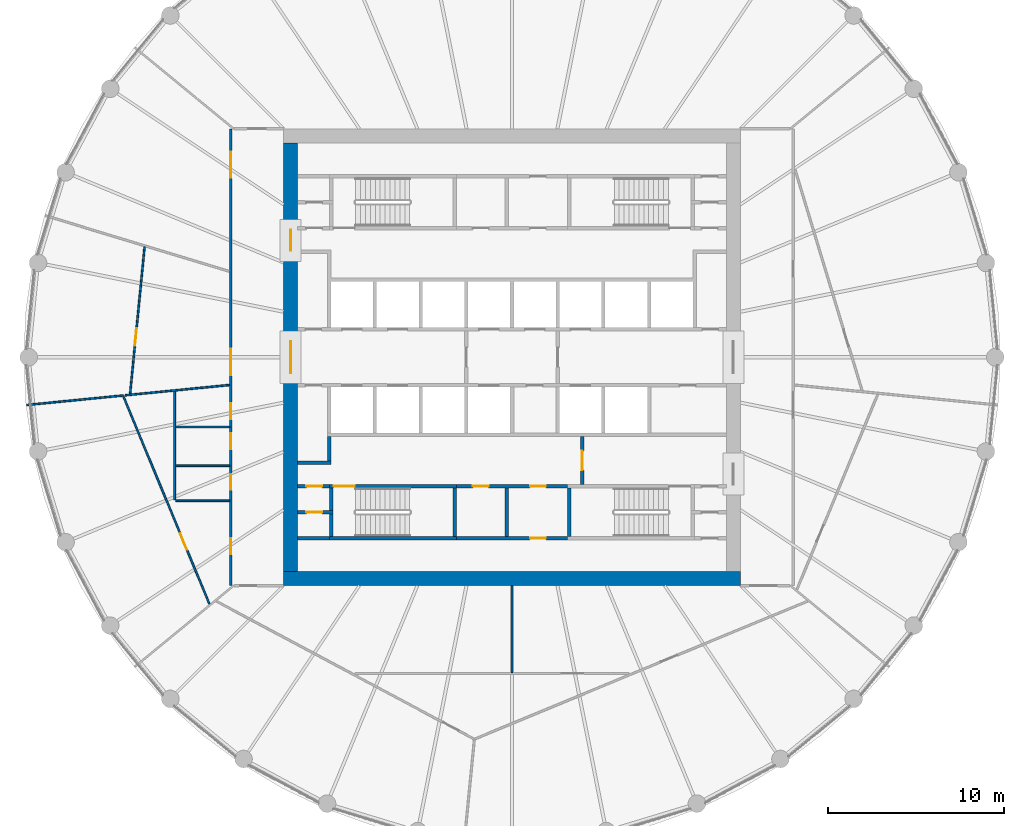
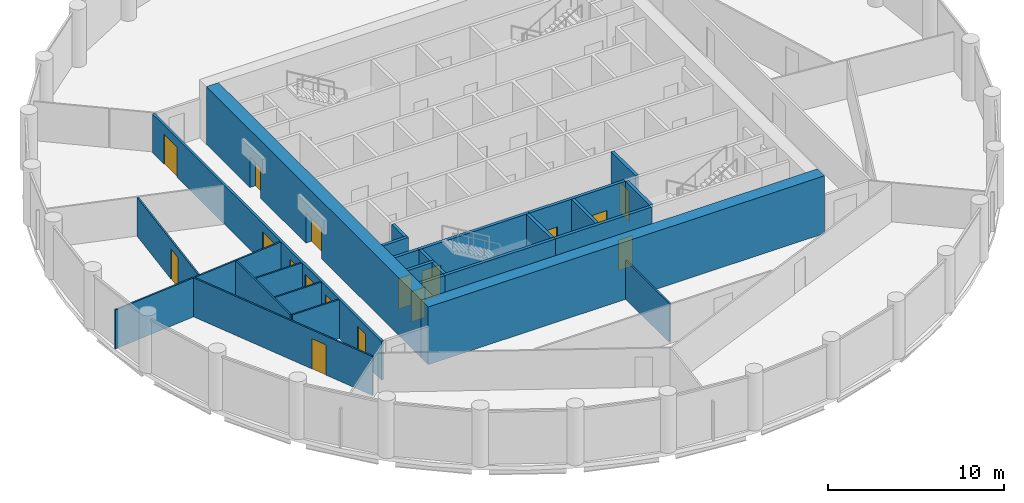
# One storey, part 4 of 8: 27 walls, 17 doors, 17 openings.
"""IFC4 building model written with IfcOpenShell, lengths in metres."""

from ifc_helpers import new_model, si_unit, direction, frame, frame_2d, origin, place, context, subcontext, project, spatial, polyline, rectangle, outline, extrude, material, layer, layer_set, type_object, element, fill, save


model = new_model("IFC4")

# Units and contexts
model_context = context("Model", 3, precision=1e-05, world=origin(), true_north=direction((0.0, 1.0)))
body_context = subcontext(model_context, "Body", "Model", "MODEL_VIEW")
ifc_project = project(units=[si_unit("LENGTHUNIT", "METRE"), si_unit("AREAUNIT", "SQUARE_METRE"), si_unit("VOLUMEUNIT", "CUBIC_METRE"), si_unit("PLANEANGLEUNIT", "RADIAN"), si_unit("MASSUNIT", "GRAM", prefix="KILO")], contexts=[model_context])

# Site, building, storey
site_placement = place(None, origin())
site = spatial("IfcSite", under=ifc_project, at=site_placement, CompositionType="ELEMENT")
building_placement = place(site_placement, origin())
building = spatial("IfcBuilding", under=site, at=building_placement, Name="Corvane Civic Tower", CompositionType="ELEMENT")
storey_placement = place(building_placement, frame((0.0, 0.0, 229.5)))
storey = spatial("IfcBuildingStorey", under=building, at=storey_placement, Name="L54", CompositionType="ELEMENT", Elevation=229.5)

# Wall
ifc_material_1 = material(Name="Concrete C50/60", Category="concrete")
ifc_layer_1 = layer(ifc_material_1, 0.800048828125)
ifc_layer_set_1 = layer_set([ifc_layer_1], Name="Concrete C50/60")
wall_type_1 = type_object("IfcWallType", Name="CORE WALL 800 C50/60", PredefinedType="SHEAR", material=ifc_layer_set_1)
wall_1_placement = place(storey_placement, frame((-13.0, -12.60009765625, 0.0), z_axis=(0.0, 0.0, 1.0), x_axis=(1.0, 0.0, 0.0)))
element("IfcWall", 1, at=wall_1_placement, inside=storey, type_object=wall_type_1, Name="W-L54-core-S", PredefinedType="SHEAR", context=body_context, shape_type="SweptSolid", body=[
    extrude(rectangle(XDim=26.0, YDim=0.800048828125, at=frame_2d((13.0, 0.0))), origin(), (0.0, 0.0, 1.0), 4.0),
])

# Wall, openings, doors
wall_2_placement = place(storey_placement, frame((-12.60009765625, -12.199951171875, 0.0), z_axis=(0.0, 0.0, 1.0), x_axis=(0.0, 1.0, 0.0)))
wall_2 = element("IfcWall", 2, at=wall_2_placement, inside=storey, type_object=wall_type_1, Name="W-L54-core-W", PredefinedType="SHEAR", context=body_context, shape_type="SweptSolid", body=[
    extrude(rectangle(XDim=24.39990234375, YDim=0.800048828125, at=frame_2d((12.199951171875, 0.0))), origin(), (0.0, 0.0, 1.0), 4.0),
])
opening_1_placement = place(wall_2_placement, frame((11.300048828125, 0.0, 0.0)))
opening_1 = element("IfcOpeningElement", 3, at=opening_1_placement, cuts=wall_2, Name="Opening L54.C29", PredefinedType="OPENING", context=body_context, shape_type="SweptSolid", body=[
    extrude(rectangle(XDim=1.800048828125, YDim=2.10009765625, at=frame_2d((0.89990234375, 1.050048828125))), frame((0.0, 0.409912109375, 0.0), z_axis=(0.0, -1.0, 0.0), x_axis=(1.0, 0.0, 0.0)), (0.0, 0.0, 1.0), 0.820068359375),
])
opening_2_placement = place(wall_2_placement, frame((18.25, 0.0, 0.0)))
opening_2 = element("IfcOpeningElement", 4, at=opening_2_placement, cuts=wall_2, Name="Opening L54.C31", PredefinedType="OPENING", context=body_context, shape_type="SweptSolid", body=[
    extrude(rectangle(XDim=1.199951171875, YDim=2.10009765625, at=frame_2d((0.60009765625, 1.050048828125))), frame((0.0, 0.409912109375, 0.0), z_axis=(0.0, -1.0, 0.0), x_axis=(1.0, 0.0, 0.0)), (0.0, 0.0, 1.0), 0.820068359375),
])
ifc_material_2 = material(Name="Steel fire door leaf", Category="steel")
door_type_1 = type_object("IfcDoorType", Name="CR-DOOR-CORE-1800", OperationType="DOUBLE_DOOR_SINGLE_SWING", PredefinedType="DOOR", material=ifc_material_2)
door_1_placement = place(opening_1_placement, origin())
door_1 = element("IfcDoor", 5, at=door_1_placement, inside=storey, type_object=door_type_1, Name="L54 door", OperationType="DOUBLE_DOOR_SINGLE_SWING", OverallHeight=2.10009765625, OverallWidth=1.800048828125, PredefinedType="DOOR", context=body_context, shape_type="SweptSolid", body=[
    extrude(rectangle(XDim=1.800048828125, YDim=2.10009765625, at=frame_2d((0.89990234375, 1.050048828125))), frame((0.0, 0.02490234375, 0.0), z_axis=(0.0, -1.0, 0.0), x_axis=(1.0, 0.0, 0.0)), (0.0, 0.0, 1.0), 0.050048828125),
])
fill(opening_1, door_1)
door_2_placement = place(opening_2_placement, origin())
door_2 = element("IfcDoor", 6, at=door_2_placement, inside=storey, type_object=door_type_1, Name="L54 door", OperationType="DOUBLE_DOOR_SINGLE_SWING", OverallHeight=2.10009765625, OverallWidth=1.199951171875, PredefinedType="DOOR", context=body_context, shape_type="SweptSolid", body=[
    extrude(rectangle(XDim=1.199951171875, YDim=2.10009765625, at=frame_2d((0.60009765625, 1.050048828125))), frame((0.0, 0.02490234375, 0.0), z_axis=(0.0, -1.0, 0.0), x_axis=(1.0, 0.0, 0.0)), (0.0, 0.0, 1.0), 0.050048828125),
])
fill(opening_2, door_2)

# Wall, opening, door
ifc_material_3 = material(Name="Concrete C30/37", Category="concrete")
ifc_layer_2 = layer(ifc_material_3, 0.199951171875)
ifc_layer_set_2 = layer_set([ifc_layer_2], Name="Concrete C30/37")
wall_type_2 = type_object("IfcWallType", Name="CR-WALL-200", PredefinedType="PARTITIONING", material=ifc_layer_set_2)
wall_3_placement = place(storey_placement, frame((-3.14990234375, -10.300048828125, 0.0), z_axis=(0.0, 0.0, 1.0), x_axis=(1.0, 0.0, 0.0)))
wall_3 = element("IfcWall", 7, at=wall_3_placement, inside=storey, type_object=wall_type_2, Name="L54 partition wall", PredefinedType="PARTITIONING", context=body_context, shape_type="SweptSolid", body=[
    extrude(rectangle(XDim=6.2998046875, YDim=0.199951171875, at=frame_2d((3.14990234375, 0.0))), origin(), (0.0, 0.0, 1.0), 3.699951171875),
])
opening_3_placement = place(wall_3_placement, frame((4.175048828125, 0.0, 0.0)))
opening_3 = element("IfcOpeningElement", 8, at=opening_3_placement, cuts=wall_3, Name="Opening L54.C11", PredefinedType="OPENING", context=body_context, shape_type="SweptSolid", body=[
    extrude(rectangle(XDim=0.89990234375, YDim=2.10009765625, at=frame_2d((0.449951171875, 1.050048828125))), frame((0.0, 0.10986328125, 0.0), z_axis=(0.0, -1.0, 0.0), x_axis=(1.0, 0.0, 0.0)), (0.0, 0.0, 1.0), 0.219970703125),
])
ifc_material_4 = material(Name="Steel fire door leaf", Category="steel")
door_type_2 = type_object("IfcDoorType", Name="CR-DOOR-900", OperationType="SINGLE_SWING_LEFT", PredefinedType="DOOR", material=ifc_material_4)
door_3_placement = place(opening_3_placement, origin())
door_3 = element("IfcDoor", 9, at=door_3_placement, inside=storey, type_object=door_type_2, Name="L54 door", OperationType="SINGLE_SWING_LEFT", OverallHeight=2.10009765625, OverallWidth=0.89990234375, PredefinedType="DOOR", context=body_context, shape_type="SweptSolid", body=[
    extrude(rectangle(XDim=0.89990234375, YDim=2.10009765625, at=frame_2d((0.449951171875, 1.050048828125))), frame((0.0, 0.02490234375, 0.0), z_axis=(0.0, -1.0, 0.0), x_axis=(1.0, 0.0, 0.0)), (0.0, 0.0, 1.0), 0.050048828125),
])
fill(opening_3, door_3)

wall_4_placement = place(storey_placement, frame((-12.199951171875, -8.824951171875, 0.0), z_axis=(0.0, 0.0, 1.0), x_axis=(1.0, 0.0, 0.0)))
wall_4 = element("IfcWall", 10, at=wall_4_placement, inside=storey, type_object=wall_type_2, Name="L54 partition wall", PredefinedType="PARTITIONING", context=body_context, shape_type="SweptSolid", body=[
    extrude(rectangle(XDim=2.0, YDim=0.199951171875, at=frame_2d((1.0, 0.0))), origin(), (0.0, 0.0, 1.0), 3.699951171875),
])
opening_4_placement = place(wall_4_placement, frame((0.5, 0.0, 0.0)))
opening_4 = element("IfcOpeningElement", 11, at=opening_4_placement, cuts=wall_4, Name="Opening L54.C15", PredefinedType="OPENING", context=body_context, shape_type="SweptSolid", body=[
    extrude(rectangle(XDim=0.89990234375, YDim=2.10009765625, at=frame_2d((0.449951171875, 1.050048828125))), frame((0.0, 0.10986328125, 0.0), z_axis=(0.0, -1.0, 0.0), x_axis=(1.0, 0.0, 0.0)), (0.0, 0.0, 1.0), 0.219970703125),
])
door_4_placement = place(opening_4_placement, origin())
door_4 = element("IfcDoor", 12, at=door_4_placement, inside=storey, type_object=door_type_2, Name="L54 door", OperationType="SINGLE_SWING_LEFT", OverallHeight=2.10009765625, OverallWidth=0.89990234375, PredefinedType="DOOR", context=body_context, shape_type="SweptSolid", body=[
    extrude(rectangle(XDim=0.89990234375, YDim=2.10009765625, at=frame_2d((0.449951171875, 1.050048828125))), frame((0.0, 0.02490234375, 0.0), z_axis=(0.0, -1.0, 0.0), x_axis=(1.0, 0.0, 0.0)), (0.0, 0.0, 1.0), 0.050048828125),
])
fill(opening_4, door_4)

wall_5_placement = place(storey_placement, frame((-12.199951171875, -7.35009765625, 0.0), z_axis=(0.0, 0.0, 1.0), x_axis=(1.0, 0.0, 0.0)))
wall_5 = element("IfcWall", 13, at=wall_5_placement, inside=storey, type_object=wall_type_2, Name="L54 core partition wall", PredefinedType="PARTITIONING", context=body_context, shape_type="SweptSolid", body=[
    extrude(rectangle(XDim=1.800048828125, YDim=0.199951171875, at=frame_2d((0.89990234375, 0.0))), origin(), (0.0, 0.0, 1.0), 3.699951171875),
])
opening_5_placement = place(wall_5_placement, frame((0.5, 0.0, 0.0)))
opening_5 = element("IfcOpeningElement", 14, at=opening_5_placement, cuts=wall_5, Name="Opening L54.C14", PredefinedType="OPENING", context=body_context, shape_type="SweptSolid", body=[
    extrude(rectangle(XDim=0.89990234375, YDim=2.10009765625, at=frame_2d((0.449951171875, 1.050048828125))), frame((0.0, 0.10986328125, 0.0), z_axis=(0.0, -1.0, 0.0), x_axis=(1.0, 0.0, 0.0)), (0.0, 0.0, 1.0), 0.219970703125),
])
door_5_placement = place(opening_5_placement, origin())
door_5 = element("IfcDoor", 15, at=door_5_placement, inside=storey, type_object=door_type_2, Name="L54 door", OperationType="SINGLE_SWING_LEFT", OverallHeight=2.10009765625, OverallWidth=0.89990234375, PredefinedType="DOOR", context=body_context, shape_type="SweptSolid", body=[
    extrude(rectangle(XDim=0.89990234375, YDim=2.10009765625, at=frame_2d((0.449951171875, 1.050048828125))), frame((0.0, 0.02490234375, 0.0), z_axis=(0.0, -1.0, 0.0), x_axis=(1.0, 0.0, 0.0)), (0.0, 0.0, 1.0), 0.050048828125),
])
fill(opening_5, door_5)

# Wall, openings, doors
wall_6_placement = place(storey_placement, frame((-3.14990234375, -7.35009765625, 0.0), z_axis=(0.0, 0.0, 1.0), x_axis=(1.0, 0.0, 0.0)))
wall_6 = element("IfcWall", 16, at=wall_6_placement, inside=storey, type_object=wall_type_2, Name="L54 core partition wall", PredefinedType="PARTITIONING", context=body_context, shape_type="SweptSolid", body=[
    extrude(rectangle(XDim=6.2998046875, YDim=0.199951171875, at=frame_2d((3.14990234375, 0.0))), origin(), (0.0, 0.0, 1.0), 3.699951171875),
])
opening_6_placement = place(wall_6_placement, frame((0.925048828125, 0.0, 0.0)))
opening_6 = element("IfcOpeningElement", 17, at=opening_6_placement, cuts=wall_6, Name="Opening L54.C08", PredefinedType="OPENING", context=body_context, shape_type="SweptSolid", body=[
    extrude(rectangle(XDim=0.89990234375, YDim=2.10009765625, at=frame_2d((0.449951171875, 1.050048828125))), frame((0.0, 0.10986328125, 0.0), z_axis=(0.0, -1.0, 0.0), x_axis=(1.0, 0.0, 0.0)), (0.0, 0.0, 1.0), 0.219970703125),
])
opening_7_placement = place(wall_6_placement, frame((4.175048828125, 0.0, 0.0)))
opening_7 = element("IfcOpeningElement", 18, at=opening_7_placement, cuts=wall_6, Name="Opening L54.C09", PredefinedType="OPENING", context=body_context, shape_type="SweptSolid", body=[
    extrude(rectangle(XDim=0.89990234375, YDim=2.10009765625, at=frame_2d((0.449951171875, 1.050048828125))), frame((0.0, 0.10986328125, 0.0), z_axis=(0.0, -1.0, 0.0), x_axis=(1.0, 0.0, 0.0)), (0.0, 0.0, 1.0), 0.219970703125),
])
door_6_placement = place(opening_6_placement, origin())
door_6 = element("IfcDoor", 19, at=door_6_placement, inside=storey, type_object=door_type_2, Name="L54 door", OperationType="SINGLE_SWING_LEFT", OverallHeight=2.10009765625, OverallWidth=0.89990234375, PredefinedType="DOOR", context=body_context, shape_type="SweptSolid", body=[
    extrude(rectangle(XDim=0.89990234375, YDim=2.10009765625, at=frame_2d((0.449951171875, 1.050048828125))), frame((0.0, 0.02490234375, 0.0), z_axis=(0.0, -1.0, 0.0), x_axis=(1.0, 0.0, 0.0)), (0.0, 0.0, 1.0), 0.050048828125),
])
fill(opening_6, door_6)
door_7_placement = place(opening_7_placement, origin())
door_7 = element("IfcDoor", 20, at=door_7_placement, inside=storey, type_object=door_type_2, Name="L54 door", OperationType="SINGLE_SWING_LEFT", OverallHeight=2.10009765625, OverallWidth=0.89990234375, PredefinedType="DOOR", context=body_context, shape_type="SweptSolid", body=[
    extrude(rectangle(XDim=0.89990234375, YDim=2.10009765625, at=frame_2d((0.449951171875, 1.050048828125))), frame((0.0, 0.02490234375, 0.0), z_axis=(0.0, -1.0, 0.0), x_axis=(1.0, 0.0, 0.0)), (0.0, 0.0, 1.0), 0.050048828125),
])
fill(opening_7, door_7)

# Wall, opening, door
wall_7_placement = place(storey_placement, frame((4.0, -7.25, 0.0), z_axis=(0.0, 0.0, 1.0), x_axis=(0.0, 1.0, 0.0)))
wall_7 = element("IfcWall", 21, at=wall_7_placement, inside=storey, type_object=wall_type_2, Name="L54 core partition wall", PredefinedType="PARTITIONING", context=body_context, shape_type="SweptSolid", body=[
    extrude(rectangle(XDim=2.75, YDim=0.199951171875, at=frame_2d((1.375, 0.0))), origin(), (0.0, 0.0, 1.0), 3.699951171875),
])
opening_8_placement = place(wall_7_placement, frame((0.824951171875, 0.0, 0.0)))
opening_8 = element("IfcOpeningElement", 22, at=opening_8_placement, cuts=wall_7, Name="Opening L54.C28", PredefinedType="OPENING", context=body_context, shape_type="SweptSolid", body=[
    extrude(rectangle(XDim=1.10009765625, YDim=2.10009765625, at=frame_2d((0.550048828125, 1.050048828125))), frame((0.0, 0.10986328125, 0.0), z_axis=(0.0, -1.0, 0.0), x_axis=(1.0, 0.0, 0.0)), (0.0, 0.0, 1.0), 0.219970703125),
])
ifc_material_5 = material(Name="Steel fire door leaf", Category="steel")
door_type_3 = type_object("IfcDoorType", Name="CR-DOOR-FFL-1100", OperationType="SINGLE_SWING_LEFT", PredefinedType="DOOR", material=ifc_material_5)
door_8_placement = place(opening_8_placement, origin())
door_8 = element("IfcDoor", 23, at=door_8_placement, inside=storey, type_object=door_type_3, Name="L54 lobby door", OperationType="SINGLE_SWING_LEFT", OverallHeight=2.10009765625, OverallWidth=1.10009765625, PredefinedType="DOOR", context=body_context, shape_type="SweptSolid", body=[
    extrude(rectangle(XDim=1.10009765625, YDim=2.10009765625, at=frame_2d((0.550048828125, 1.050048828125))), frame((0.0, 0.02490234375, 0.0), z_axis=(0.0, -1.0, 0.0), x_axis=(1.0, 0.0, 0.0)), (0.0, 0.0, 1.0), 0.050048828125),
])
fill(opening_8, door_8)

# Walls
wall_8_placement = place(storey_placement, origin())
element("IfcWall", 24, at=wall_8_placement, inside=storey, type_object=wall_type_2, Name="L54 core partition wall", PredefinedType="PARTITIONING", context=body_context, shape_type="SweptSolid", body=[
    extrude(outline(polyline([(-10.300048828125, -6.10009765625), (-12.199951171875, -6.10009765625), (-12.199951171875, -5.89990234375), (-10.300048828125, -5.89990234375), (-10.300048828125, -6.10009765625)])), origin(), (0.0, 0.0, 1.0), 3.699951171875),
])
wall_9_placement = place(storey_placement, origin())
element("IfcWall", 25, at=wall_9_placement, inside=storey, type_object=wall_type_2, Name="L54 core partition wall", PredefinedType="PARTITIONING", context=body_context, shape_type="SweptSolid", body=[
    extrude(outline(polyline([(-10.300048828125, -5.89990234375), (-10.5, -5.89990234375), (-10.5, -4.5), (-10.300048828125, -4.5), (-10.300048828125, -5.89990234375)])), origin(), (0.0, 0.0, 1.0), 3.699951171875),
])
wall_10_placement = place(storey_placement, origin())
element("IfcWall", 26, at=wall_10_placement, inside=storey, type_object=wall_type_2, Name="L54 core partition wall", PredefinedType="PARTITIONING", context=body_context, shape_type="SweptSolid", body=[
    extrude(outline(polyline([(-10.39990234375, -10.39990234375), (-12.199951171875, -10.39990234375), (-12.199951171875, -10.199951171875), (-10.39990234375, -10.199951171875), (-10.39990234375, -10.39990234375)])), origin(), (0.0, 0.0, 1.0), 3.699951171875),
])
wall_11_placement = place(storey_placement, origin())
element("IfcWall", 27, at=wall_11_placement, inside=storey, type_object=wall_type_2, Name="L54 core partition wall", PredefinedType="PARTITIONING", context=body_context, shape_type="SweptSolid", body=[
    extrude(outline(polyline([(-0.199951171875, -10.199951171875), (-0.39990234375, -10.199951171875), (-0.39990234375, -7.449951171875), (-0.199951171875, -7.449951171875), (-0.199951171875, -10.199951171875)])), origin(), (0.0, 0.0, 1.0), 3.699951171875),
])
ifc_material_6 = material(Name="Plasterboard")
ifc_layer_3 = layer(ifc_material_6, 0.10009765625)
ifc_layer_set_3 = layer_set([ifc_layer_3], Name="Plasterboard")
wall_type_3 = type_object("IfcWallType", Name="Partition 100 plasterboard on studs", PredefinedType="PARTITIONING", material=ifc_layer_set_3)
wall_12_placement = place(storey_placement, frame((0.0, -17.949951171875, 0.0), z_axis=(0.0, 0.0, 1.0), x_axis=(0.0, 1.0, 0.0)))
element("IfcWall", 28, at=wall_12_placement, inside=storey, type_object=wall_type_3, Name="Partition L54.005", PredefinedType="PARTITIONING", context=body_context, shape_type="SweptSolid", body=[
    extrude(rectangle(XDim=4.949951171875, YDim=0.10009765625, at=frame_2d((2.47509765625, 0.0))), origin(), (0.0, 0.0, 1.0), 2.699951171875),
])

# Wall, opening, door
wall_13_placement = place(storey_placement, frame((-22.12255859375, -2.21337890625, 0.0), z_axis=(0.0, 0.0, 1.0), x_axis=(0.382679445748, -0.923881183812, 0.0)))
wall_13 = element("IfcWall", 29, at=wall_13_placement, inside=storey, type_object=wall_type_3, Name="Partition L54.008", PredefinedType="PARTITIONING", context=body_context, shape_type="SweptSolid", body=[
    extrude(rectangle(XDim=12.810546875, YDim=0.10009765625, at=frame_2d((6.4052734375, 0.0))), origin(), (0.0, 0.0, 1.0), 2.699951171875),
])
opening_9_placement = place(wall_13_placement, frame((8.466064453125, 0.0, 0.0)))
opening_9 = element("IfcOpeningElement", 30, at=opening_9_placement, cuts=wall_13, Name="Opening L54.011", PredefinedType="OPENING", context=body_context, shape_type="SweptSolid", body=[
    extrude(rectangle(XDim=1.0, YDim=2.10009765625, at=frame_2d((0.5, 1.050048828125))), frame((0.0, 0.06005859375, 0.0), z_axis=(0.0, -1.0, 0.0), x_axis=(1.0, 0.0, 0.0)), (0.0, 0.0, 1.0), 0.1201171875),
])
ifc_material_7 = material(Name="Timber", Category="wood")
door_type_4 = type_object("IfcDoorType", Name="Single door 1000", OperationType="NOTDEFINED", PredefinedType="DOOR", material=ifc_material_7)
door_9_placement = place(opening_9_placement, frame((1.0, 0.0, 0.0), z_axis=(0.0, 0.0, 1.0), x_axis=(-1.0, 0.0, 0.0)))
door_9 = element("IfcDoor", 31, at=door_9_placement, inside=storey, type_object=door_type_4, Name="Door L54.011", OperationType="SINGLE_SWING_RIGHT", OverallHeight=2.10009765625, OverallWidth=1.0, PredefinedType="DOOR", context=body_context, shape_type="SweptSolid", body=[
    extrude(rectangle(XDim=1.0, YDim=2.10009765625, at=frame_2d((0.5, 1.050048828125))), frame((0.0, 0.02490234375, 0.0), z_axis=(0.0, -1.0, 0.0), x_axis=(1.0, 0.0, 0.0)), (0.0, 0.0, 1.0), 0.050048828125),
])
fill(opening_9, door_9)

# Walls
wall_14_placement = place(storey_placement, frame((-19.14990234375, -8.17578125, 0.0), z_axis=(0.0, 0.0, 1.0), x_axis=(1.0, 0.0, 0.0)))
element("IfcWall", 32, at=wall_14_placement, inside=storey, type_object=wall_type_3, Name="Partition L54.014", PredefinedType="PARTITIONING", context=body_context, shape_type="SweptSolid", body=[
    extrude(rectangle(XDim=3.074951171875, YDim=0.10009765625, at=frame_2d((1.53759765625, 0.0))), origin(), (0.0, 0.0, 1.0), 2.699951171875),
])
wall_15_placement = place(storey_placement, frame((-19.199951171875, -8.1259765625, 0.0), z_axis=(0.0, 0.0, 1.0), x_axis=(0.0, 1.0, 0.0)))
element("IfcWall", 33, at=wall_15_placement, inside=storey, type_object=wall_type_3, Name="Partition L54.015", PredefinedType="PARTITIONING", context=body_context, shape_type="SweptSolid", body=[
    extrude(rectangle(XDim=6.1796875, YDim=0.10009765625, at=frame_2d((3.08984375, 0.0))), origin(), (0.0, 0.0, 1.0), 2.699951171875),
])
for number, where, z_axis, x_axis, name in (
    (34, (-19.14990234375, -6.17578125, 0.0), (0.0, 0.0, 1.0), (1.0, 0.0, 0.0), "Partition L54.016"),
    (35, (-19.14990234375, -3.975830078125, 0.0), (0.0, 0.0, 1.0), (1.0, 0.0, 0.0), "Partition L54.017"),
):
    element("IfcWall", number, at=place(storey_placement, frame(where, z_axis=z_axis, x_axis=x_axis)), inside=storey, type_object=wall_type_3, Name=name, PredefinedType="PARTITIONING", context=body_context, shape_type="SweptSolid", body=[
        extrude(rectangle(XDim=3.074951171875, YDim=0.10009765625, at=frame_2d((1.53759765625, 0.0))), origin(), (0.0, 0.0, 1.0), 2.699951171875),
    ])
wall_16_placement = place(storey_placement, frame((-27.616455078125, -2.719970703125, 0.0), z_axis=(0.0, 0.0, 1.0), x_axis=(0.995184610858, 0.098018316201, 0.0)))
element("IfcWall", 36, at=wall_16_placement, inside=storey, type_object=wall_type_3, Name="Partition L54.018", PredefinedType="PARTITIONING", context=body_context, shape_type="SweptSolid", body=[
    extrude(rectangle(XDim=5.51708984375, YDim=0.10009765625, at=frame_2d((2.758544921875, 0.0))), origin(), (0.0, 0.0, 1.0), 2.699951171875),
])
wall_17_placement = place(storey_placement, frame((-22.010009765625, -2.167724609375, 0.0), z_axis=(0.0, 0.0, 1.0), x_axis=(0.99518615008, 0.098002687155, 0.0)))
element("IfcWall", 37, at=wall_17_placement, inside=storey, type_object=wall_type_3, Name="Partition L54.020", PredefinedType="PARTITIONING", context=body_context, shape_type="SweptSolid", body=[
    extrude(rectangle(XDim=5.958740234375, YDim=0.10009765625, at=frame_2d((2.9794921875, 0.0))), origin(), (0.0, 0.0, 1.0), 2.699951171875),
])

# Wall, opening, door
wall_18_placement = place(storey_placement, frame((-21.73193359375, -2.080322265625, 0.0), z_axis=(0.0, 0.0, 1.0), x_axis=(0.097995852341, 0.995186823126, 0.0)))
wall_18 = element("IfcWall", 38, at=wall_18_placement, inside=storey, type_object=wall_type_3, Name="Partition L54.021", PredefinedType="PARTITIONING", context=body_context, shape_type="SweptSolid", body=[
    extrude(rectangle(XDim=8.40087890625, YDim=0.10009765625, at=frame_2d((4.200439453125, 0.0))), origin(), (0.0, 0.0, 1.0), 2.699951171875),
])
opening_10_placement = place(wall_18_placement, frame((2.73828125, 0.0, 0.0)))
opening_10 = element("IfcOpeningElement", 39, at=opening_10_placement, cuts=wall_18, Name="Opening L54.016", PredefinedType="OPENING", context=body_context, shape_type="SweptSolid", body=[
    extrude(rectangle(XDim=1.0, YDim=2.10009765625, at=frame_2d((0.5, 1.050048828125))), frame((0.0, 0.06005859375, 0.0), z_axis=(0.0, -1.0, 0.0), x_axis=(1.0, 0.0, 0.0)), (0.0, 0.0, 1.0), 0.1201171875),
])
door_10_placement = place(opening_10_placement, origin())
door_10 = element("IfcDoor", 40, at=door_10_placement, inside=storey, type_object=door_type_4, Name="Door L54.016", OperationType="SINGLE_SWING_LEFT", OverallHeight=2.10009765625, OverallWidth=1.0, PredefinedType="DOOR", context=body_context, shape_type="SweptSolid", body=[
    extrude(rectangle(XDim=1.0, YDim=2.10009765625, at=frame_2d((0.5, 1.050048828125))), frame((0.0, 0.02490234375, 0.0), z_axis=(0.0, -1.0, 0.0), x_axis=(1.0, 0.0, 0.0)), (0.0, 0.0, 1.0), 0.050048828125),
])
fill(opening_10, door_10)

ifc_material_8 = material(Name="Concrete C50/60", Category="concrete")
ifc_layer_4 = layer(ifc_material_8, 0.199951171875)
ifc_layer_set_4 = layer_set([ifc_layer_4], Name="Concrete C50/60")
wall_type_4 = type_object("IfcWallType", Name="ST-WALL-200", PredefinedType="SHEAR", material=ifc_layer_set_4)
wall_19_placement = place(storey_placement, frame((-10.39990234375, -7.35009765625, 0.0), z_axis=(0.0, 0.0, 1.0), x_axis=(1.0, 0.0, 0.0)))
wall_19 = element("IfcWall", 41, at=wall_19_placement, inside=storey, type_object=wall_type_4, Name="L54 stair enclosure wall", PredefinedType="SHEAR", context=body_context, shape_type="SweptSolid", body=[
    extrude(rectangle(XDim=7.25, YDim=0.199951171875, at=frame_2d((3.625, 0.0))), origin(), (0.0, 0.0, 1.0), 3.699951171875),
])
opening_11_placement = place(wall_19_placement, frame((0.25, 0.0, 0.0)))
opening_11 = element("IfcOpeningElement", 42, at=opening_11_placement, cuts=wall_19, Name="Opening L54.C25", PredefinedType="OPENING", context=body_context, shape_type="SweptSolid", body=[
    extrude(rectangle(XDim=1.199951171875, YDim=2.10009765625, at=frame_2d((0.60009765625, 1.050048828125))), frame((0.0, 0.10986328125, 0.0), z_axis=(0.0, -1.0, 0.0), x_axis=(1.0, 0.0, 0.0)), (0.0, 0.0, 1.0), 0.219970703125),
])
ifc_material_9 = material(Name="Steel fire door leaf", Category="steel")
door_type_5 = type_object("IfcDoorType", Name="ST-DOOR-1200", OperationType="SINGLE_SWING_RIGHT", PredefinedType="DOOR", material=ifc_material_9)
door_11_placement = place(opening_11_placement, origin())
door_11 = element("IfcDoor", 43, at=door_11_placement, inside=storey, type_object=door_type_5, Name="L54 stair door", OperationType="SINGLE_SWING_RIGHT", OverallHeight=2.10009765625, OverallWidth=1.199951171875, PredefinedType="DOOR", context=body_context, shape_type="SweptSolid", body=[
    extrude(rectangle(XDim=1.199951171875, YDim=2.10009765625, at=frame_2d((0.60009765625, 1.050048828125))), frame((0.0, 0.02490234375, 0.0), z_axis=(0.0, -1.0, 0.0), x_axis=(1.0, 0.0, 0.0)), (0.0, 0.0, 1.0), 0.050048828125),
])
fill(opening_11, door_11)

# Walls
wall_20_placement = place(storey_placement, origin())
element("IfcWall", 44, at=wall_20_placement, inside=storey, type_object=wall_type_4, Name="L54 stair enclosure wall", PredefinedType="SHEAR", context=body_context, shape_type="SweptSolid", body=[
    extrude(outline(polyline([(-3.14990234375, -10.199951171875), (-3.14990234375, -10.39990234375), (-10.39990234375, -10.39990234375), (-10.39990234375, -10.199951171875), (-3.14990234375, -10.199951171875)])), origin(), (0.0, 0.0, 1.0), 3.699951171875),
])
wall_21_placement = place(storey_placement, origin())
element("IfcWall", 45, at=wall_21_placement, inside=storey, type_object=wall_type_4, Name="L54 stair enclosure wall", PredefinedType="SHEAR", context=body_context, shape_type="SweptSolid", body=[
    extrude(outline(polyline([(-3.14990234375, -7.449951171875), (-3.14990234375, -10.199951171875), (-3.35009765625, -10.199951171875), (-3.35009765625, -7.449951171875), (-3.14990234375, -7.449951171875)])), origin(), (0.0, 0.0, 1.0), 3.699951171875),
])
wall_22_placement = place(storey_placement, origin())
element("IfcWall", 46, at=wall_22_placement, inside=storey, type_object=wall_type_4, Name="L54 stair enclosure wall", PredefinedType="SHEAR", context=body_context, shape_type="SweptSolid", body=[
    extrude(outline(polyline([(3.35009765625, -7.449951171875), (3.35009765625, -10.199951171875), (3.14990234375, -10.199951171875), (3.14990234375, -7.449951171875), (3.35009765625, -7.449951171875)])), origin(), (0.0, 0.0, 1.0), 3.699951171875),
])
wall_23_placement = place(storey_placement, origin())
element("IfcWall", 47, at=wall_23_placement, inside=storey, type_object=wall_type_4, Name="L54 stair enclosure wall", PredefinedType="SHEAR", context=body_context, shape_type="SweptSolid", body=[
    extrude(outline(polyline([(-10.199951171875, -7.449951171875), (-10.199951171875, -8.72509765625), (-10.39990234375, -8.72509765625), (-10.39990234375, -7.449951171875), (-10.199951171875, -7.449951171875)])), origin(), (0.0, 0.0, 1.0), 3.699951171875),
])
wall_24_placement = place(storey_placement, origin())
element("IfcWall", 48, at=wall_24_placement, inside=storey, type_object=wall_type_4, Name="L54 stair enclosure wall", PredefinedType="SHEAR", context=body_context, shape_type="SweptSolid", body=[
    extrude(outline(polyline([(-10.199951171875, -8.925048828125), (-10.199951171875, -10.199951171875), (-10.39990234375, -10.199951171875), (-10.39990234375, -8.925048828125), (-10.199951171875, -8.925048828125)])), origin(), (0.0, 0.0, 1.0), 3.699951171875),
])

# Wall, openings, doors
ifc_material_10 = material(Name="Plasterboard")
ifc_layer_5 = layer(ifc_material_10, 0.14990234375)
ifc_layer_set_5 = layer_set([ifc_layer_5], Name="Plasterboard")
wall_type_5 = type_object("IfcWallType", Name="Tenancy wall 150 EI 60", PredefinedType="PARTITIONING", material=ifc_layer_set_5)
wall_25_placement = place(storey_placement, frame((-16.0, -13.0, 0.0), z_axis=(0.0, 0.0, 1.0), x_axis=(0.0, 1.0, 0.0)))
wall_25 = element("IfcWall", 49, at=wall_25_placement, inside=storey, type_object=wall_type_5, Name="Partition L54.010", PredefinedType="PARTITIONING", context=body_context, shape_type="SweptSolid", body=[
    extrude(rectangle(XDim=26.0, YDim=0.14990234375, at=frame_2d((13.0, 0.0))), origin(), (0.0, 0.0, 1.0), 2.699951171875),
])
opening_12_placement = place(wall_25_placement, frame((1.783203125, 0.0, 0.0)))
opening_12 = element("IfcOpeningElement", 50, at=opening_12_placement, cuts=wall_25, Name="Opening L54.012", PredefinedType="OPENING", context=body_context, shape_type="SweptSolid", body=[
    extrude(rectangle(XDim=0.89990234375, YDim=2.10009765625, at=frame_2d((0.449951171875, 1.050048828125))), frame((0.0, 0.0849609375, 0.0), z_axis=(0.0, -1.0, 0.0), x_axis=(1.0, 0.0, 0.0)), (0.0, 0.0, 1.0), 0.169921875),
])
opening_13_placement = place(wall_25_placement, frame((9.47412109375, 0.0, 0.0)))
opening_13 = element("IfcOpeningElement", 51, at=opening_13_placement, cuts=wall_25, Name="Opening L54.013", PredefinedType="OPENING", context=body_context, shape_type="SweptSolid", body=[
    extrude(rectangle(XDim=0.89990234375, YDim=2.10009765625, at=frame_2d((0.449951171875, 1.050048828125))), frame((0.0, 0.0849609375, 0.0), z_axis=(0.0, -1.0, 0.0), x_axis=(1.0, 0.0, 0.0)), (0.0, 0.0, 1.0), 0.169921875),
])
opening_14_placement = place(wall_25_placement, frame((7.764404296875, 0.0, 0.0)))
opening_14 = element("IfcOpeningElement", 52, at=opening_14_placement, cuts=wall_25, Name="Opening L54.014", PredefinedType="OPENING", context=body_context, shape_type="SweptSolid", body=[
    extrude(rectangle(XDim=0.89990234375, YDim=2.10009765625, at=frame_2d((0.449951171875, 1.050048828125))), frame((0.0, 0.0849609375, 0.0), z_axis=(0.0, -1.0, 0.0), x_axis=(1.0, 0.0, 0.0)), (0.0, 0.0, 1.0), 0.169921875),
])
opening_15_placement = place(wall_25_placement, frame((5.44287109375, 0.0, 0.0)))
opening_15 = element("IfcOpeningElement", 53, at=opening_15_placement, cuts=wall_25, Name="Opening L54.015", PredefinedType="OPENING", context=body_context, shape_type="SweptSolid", body=[
    extrude(rectangle(XDim=0.89990234375, YDim=2.10009765625, at=frame_2d((0.449951171875, 1.050048828125))), frame((0.0, 0.0849609375, 0.0), z_axis=(0.0, -1.0, 0.0), x_axis=(1.0, 0.0, 0.0)), (0.0, 0.0, 1.0), 0.169921875),
])
opening_16_placement = place(wall_25_placement, frame((11.982666015625, 0.0, 0.0)))
opening_16 = element("IfcOpeningElement", 54, at=opening_16_placement, cuts=wall_25, Name="Opening L54.017", PredefinedType="OPENING", context=body_context, shape_type="SweptSolid", body=[
    extrude(rectangle(XDim=1.5, YDim=2.10009765625, at=frame_2d((0.75, 1.050048828125))), frame((0.0, 0.0849609375, 0.0), z_axis=(0.0, -1.0, 0.0), x_axis=(1.0, 0.0, 0.0)), (0.0, 0.0, 1.0), 0.169921875),
])
opening_17_placement = place(wall_25_placement, frame((23.199462890625, 0.0, 0.0)))
opening_17 = element("IfcOpeningElement", 55, at=opening_17_placement, cuts=wall_25, Name="Opening L54.018", PredefinedType="OPENING", context=body_context, shape_type="SweptSolid", body=[
    extrude(rectangle(XDim=1.5, YDim=2.10009765625, at=frame_2d((0.75, 1.050048828125))), frame((0.0, 0.0849609375, 0.0), z_axis=(0.0, -1.0, 0.0), x_axis=(1.0, 0.0, 0.0)), (0.0, 0.0, 1.0), 0.169921875),
])
ifc_material_11 = material(Name="Steel and timber", Category="steel")
door_type_6 = type_object("IfcDoorType", Name="Fire door FD30S 900", OperationType="NOTDEFINED", PredefinedType="DOOR", material=ifc_material_11)
door_12_placement = place(opening_12_placement, origin())
door_12 = element("IfcDoor", 56, at=door_12_placement, inside=storey, type_object=door_type_6, Name="Door L54.012", OperationType="SINGLE_SWING_LEFT", OverallHeight=2.10009765625, OverallWidth=0.89990234375, PredefinedType="DOOR", context=body_context, shape_type="SweptSolid", body=[
    extrude(rectangle(XDim=0.89990234375, YDim=2.10009765625, at=frame_2d((0.449951171875, 1.050048828125))), frame((0.0, 0.02490234375, 0.0), z_axis=(0.0, -1.0, 0.0), x_axis=(1.0, 0.0, 0.0)), (0.0, 0.0, 1.0), 0.050048828125),
])
fill(opening_12, door_12)
door_13_placement = place(opening_13_placement, origin())
door_13 = element("IfcDoor", 57, at=door_13_placement, inside=storey, type_object=door_type_6, Name="Door L54.013", OperationType="SINGLE_SWING_LEFT", OverallHeight=2.10009765625, OverallWidth=0.89990234375, PredefinedType="DOOR", context=body_context, shape_type="SweptSolid", body=[
    extrude(rectangle(XDim=0.89990234375, YDim=2.10009765625, at=frame_2d((0.449951171875, 1.050048828125))), frame((0.0, 0.02490234375, 0.0), z_axis=(0.0, -1.0, 0.0), x_axis=(1.0, 0.0, 0.0)), (0.0, 0.0, 1.0), 0.050048828125),
])
fill(opening_13, door_13)
door_14_placement = place(opening_14_placement, origin())
door_14 = element("IfcDoor", 58, at=door_14_placement, inside=storey, type_object=door_type_6, Name="Door L54.014", OperationType="SINGLE_SWING_RIGHT", OverallHeight=2.10009765625, OverallWidth=0.89990234375, PredefinedType="DOOR", context=body_context, shape_type="SweptSolid", body=[
    extrude(rectangle(XDim=0.89990234375, YDim=2.10009765625, at=frame_2d((0.449951171875, 1.050048828125))), frame((0.0, 0.02490234375, 0.0), z_axis=(0.0, -1.0, 0.0), x_axis=(1.0, 0.0, 0.0)), (0.0, 0.0, 1.0), 0.050048828125),
])
fill(opening_14, door_14)
door_15_placement = place(opening_15_placement, origin())
door_15 = element("IfcDoor", 59, at=door_15_placement, inside=storey, type_object=door_type_6, Name="Door L54.015", OperationType="SINGLE_SWING_LEFT", OverallHeight=2.10009765625, OverallWidth=0.89990234375, PredefinedType="DOOR", context=body_context, shape_type="SweptSolid", body=[
    extrude(rectangle(XDim=0.89990234375, YDim=2.10009765625, at=frame_2d((0.449951171875, 1.050048828125))), frame((0.0, 0.02490234375, 0.0), z_axis=(0.0, -1.0, 0.0), x_axis=(1.0, 0.0, 0.0)), (0.0, 0.0, 1.0), 0.050048828125),
])
fill(opening_15, door_15)
ifc_material_12 = material(Name="Steel and timber", Category="steel")
door_type_7 = type_object("IfcDoorType", Name="Fire door FD60 double 1500", OperationType="NOTDEFINED", PredefinedType="DOOR", material=ifc_material_12)
door_16_placement = place(opening_16_placement, origin())
door_16 = element("IfcDoor", 60, at=door_16_placement, inside=storey, type_object=door_type_7, Name="Door L54.017", OperationType="DOUBLE_DOOR_SINGLE_SWING", OverallHeight=2.10009765625, OverallWidth=1.5, PredefinedType="DOOR", context=body_context, shape_type="SweptSolid", body=[
    extrude(rectangle(XDim=1.5, YDim=2.10009765625, at=frame_2d((0.75, 1.050048828125))), frame((0.0, 0.02490234375, 0.0), z_axis=(0.0, -1.0, 0.0), x_axis=(1.0, 0.0, 0.0)), (0.0, 0.0, 1.0), 0.050048828125),
])
fill(opening_16, door_16)
door_17_placement = place(opening_17_placement, origin())
door_17 = element("IfcDoor", 61, at=door_17_placement, inside=storey, type_object=door_type_7, Name="Door L54.018", OperationType="DOUBLE_DOOR_SINGLE_SWING", OverallHeight=2.10009765625, OverallWidth=1.5, PredefinedType="DOOR", context=body_context, shape_type="SweptSolid", body=[
    extrude(rectangle(XDim=1.5, YDim=2.10009765625, at=frame_2d((0.75, 1.050048828125))), frame((0.0, 0.02490234375, 0.0), z_axis=(0.0, -1.0, 0.0), x_axis=(1.0, 0.0, 0.0)), (0.0, 0.0, 1.0), 0.050048828125),
])
fill(opening_17, door_17)

save(model, "model.ifc")
